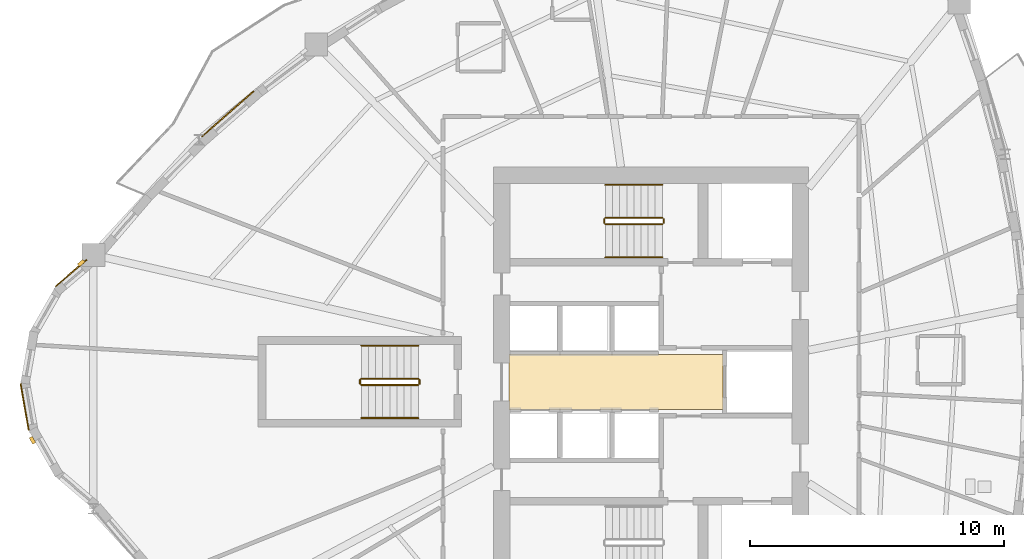
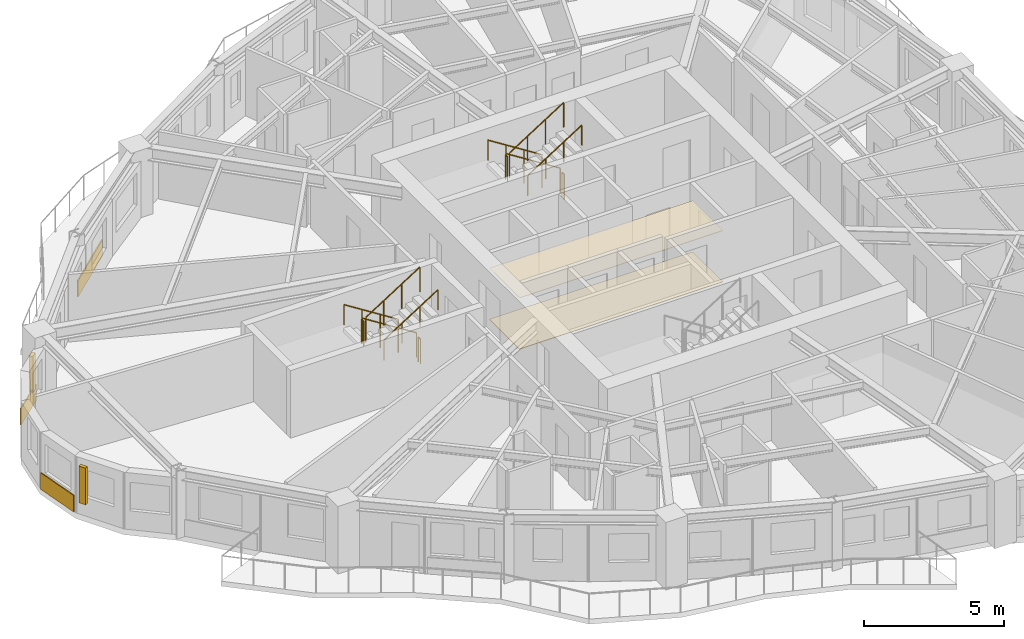
# One storey, part 11 of 13: 12 railings, 5 coverings, 2 shading devices.
"""IFC4 building model written with IfcOpenShell, lengths in metres."""

from ifc_helpers import new_model, si_unit, direction, frame, origin, origin_2d, place, context, subcontext, project, spatial, polyline, rectangle, circle, outline, extrude, source, transform, mapped, material, layer, layer_set, type_object, element, save


model = new_model("IFC4")

# Units and contexts
model_context = context("Model", 3, precision=1e-05, world=origin(), true_north=direction((0.0, 1.0)))
body_context = subcontext(model_context, "Body", "Model", "MODEL_VIEW")
ifc_project = project(units=[si_unit("LENGTHUNIT", "METRE"), si_unit("AREAUNIT", "SQUARE_METRE"), si_unit("VOLUMEUNIT", "CUBIC_METRE"), si_unit("PLANEANGLEUNIT", "RADIAN"), si_unit("MASSUNIT", "GRAM", prefix="KILO")], contexts=[model_context])

# Site, building, storey
site_placement = place(None, origin())
site = spatial("IfcSite", under=ifc_project, at=site_placement, CompositionType="ELEMENT")
building_placement = place(site_placement, origin())
building = spatial("IfcBuilding", under=site, at=building_placement, Name="Qafzar Sky-Pleat Residences", CompositionType="ELEMENT")
storey_placement = place(building_placement, frame((0.0, 0.0, 102.39990234375)))
storey = spatial("IfcBuildingStorey", under=building, at=storey_placement, Name="L30", CompositionType="ELEMENT", Elevation=102.39990234375)

# Coverings
ifc_material_1 = material(Name="Perforated acoustic gypsum board ceiling")
ifc_layer_1 = layer(ifc_material_1, 0.02001953125)
ifc_layer_set_1 = layer_set([ifc_layer_1], Name="Perforated acoustic gypsum board ceiling")
covering_type_1 = type_object("IfcCoveringType", Name="COV-CEIL-ACOUSTIC", PredefinedType="CEILING", material=ifc_layer_set_1)
covering_1_placement = place(storey_placement, frame((0.0, 0.0, 2.239990234375)))
element("IfcCovering", 1, at=covering_1_placement, inside=storey, type_object=covering_type_1, Name="L30 Passenger Lift Lobby Acoustic Ceiling", PredefinedType="CEILING", context=body_context, shape_type="SweptSolid", body=[
    extrude(outline(polyline([(33.179931640625, 24.919921875), (24.77001953125, 24.919921875), (24.77001953125, 27.080078125), (33.179931640625, 27.080078125), (33.179931640625, 24.919921875)])), origin(), (0.0, 0.0, 1.0), 0.02001953125),
])
ifc_material_2 = material(Name="Honed porcelain and Riyadh stone tile flooring", Category="masonry")
ifc_layer_2 = layer(ifc_material_2, 0.02001953125)
ifc_layer_set_2 = layer_set([ifc_layer_2], Name="Honed porcelain and Riyadh stone tile flooring")
covering_type_2 = type_object("IfcCoveringType", Name="COV-FLR-PORCELAIN", PredefinedType="FLOORING", material=ifc_layer_set_2)
covering_2_placement = place(storey_placement, origin())
element("IfcCovering", 2, at=covering_2_placement, inside=storey, type_object=covering_type_2, Name="L30 Passenger Lift Lobby Honed Stone Flooring", PredefinedType="FLOORING", context=body_context, shape_type="SweptSolid", body=[
    extrude(outline(polyline([(33.179931640625, 24.919921875), (24.77001953125, 24.919921875), (24.77001953125, 27.080078125), (33.179931640625, 27.080078125), (33.179931640625, 24.919921875)])), origin(), (0.0, 0.0, 1.0), 0.02001953125),
])

# Shading devices
ifc_material_3 = material(Name="Honed Riyadh limestone solar fin", Category="masonry")
ifc_layer_3 = layer(ifc_material_3, 0.139892578125)
ifc_layer_set_3 = layer_set([ifc_layer_3], Name="Honed Riyadh limestone solar fin")
shading_device_type = type_object("IfcShadingDeviceType", Name="SHD-FIN-STONE", PredefinedType="SHUTTER", material=ifc_layer_set_3)
shared_shape_1 = source(origin(), body_context, "Body", "SweptSolid", [
    extrude(rectangle(XDim=0.139892578125, YDim=0.280029296875, at=origin_2d()), origin(), (0.0, 0.0, 1.0), 1.60009765625),
])
for number, where, z_axis, x_axis, name in (
    (3, (7.941650390625, 30.67431640625, 0.60009765625), (0.0, 0.0, 1.0), (-0.648602943999, 0.761126941473, 0.0), "L30 Limestone Solar Fin 1"),
    (4, (6.02294921875, 23.702392578125, 0.60009765625), (0.0, 0.0, 1.0), (-0.868298604268, -0.49604186701, 0.0), "L30 Limestone Solar Fin 5"),
):
    element("IfcShadingDevice", number, at=place(storey_placement, frame(where, z_axis=z_axis, x_axis=x_axis)), inside=storey, type_object=shading_device_type, Name=name, PredefinedType="SHUTTER", context=body_context, shape_type="MappedRepresentation", body=[
        mapped(shared_shape_1, transform((0.0, 0.0, 0.0), x_axis=(1.0, 0.0, 0.0), y_axis=(0.0, 1.0, 0.0), z_axis=(0.0, 0.0, 1.0), scale=1.0)),
    ])

# Coverings
ifc_material_4 = material(Name="Honed Riyadh Tuwaiq limestone cladding", Category="masonry")
ifc_layer_4 = layer(ifc_material_4, 0.044921875)
ifc_layer_set_4 = layer_set([ifc_layer_4], Name="Honed Riyadh Tuwaiq limestone cladding")
covering_type_3 = type_object("IfcCoveringType", Name="COV-CLAD-STONE", PredefinedType="CLADDING", material=ifc_layer_set_4)
shared_shape_2 = source(origin(), body_context, "Body", "SweptSolid", [
    extrude(rectangle(XDim=1.62451171875, YDim=0.044921875, at=origin_2d()), origin(), (0.0, 0.0, 1.0), 0.719970703125),
])
covering_3_placement = place(storey_placement, frame((7.543212890625, 30.278564453125, 0.02001953125), z_axis=(0.0, 0.0, 1.0), x_axis=(-0.761154082005, -0.648571093595, 0.0)))
element("IfcCovering", 5, at=covering_3_placement, inside=storey, type_object=covering_type_3, Name="L30 Riyadh Limestone Spandrel Cladding 1", PredefinedType="CLADDING", context=body_context, shape_type="MappedRepresentation", body=[
    mapped(shared_shape_2, transform((0.0, 0.0, 0.0), x_axis=(1.0, 0.0, 0.0), y_axis=(0.0, 1.0, 0.0), z_axis=(0.0, 0.0, 1.0), scale=1.0)),
])
shared_shape_3 = source(origin(), body_context, "Body", "SweptSolid", [
    extrude(rectangle(XDim=1.865478515625, YDim=0.044921875, at=origin_2d()), origin(), (0.0, 0.0, 1.0), 0.719970703125),
])
covering_4_placement = place(storey_placement, frame((5.71533203125, 25.0126953125, 0.02001953125), z_axis=(0.0, 0.0, 1.0), x_axis=(0.172169696941, -0.985067305038, 0.0)))
element("IfcCovering", 6, at=covering_4_placement, inside=storey, type_object=covering_type_3, Name="L30 Riyadh Limestone Spandrel Cladding 4", PredefinedType="CLADDING", context=body_context, shape_type="MappedRepresentation", body=[
    mapped(shared_shape_3, transform((0.0, 0.0, 0.0), x_axis=(1.0, 0.0, 0.0), y_axis=(0.0, 1.0, 0.0), z_axis=(0.0, 0.0, 1.0), scale=1.0)),
])
shared_shape_4 = source(origin(), body_context, "Body", "SweptSolid", [
    extrude(rectangle(XDim=2.7080078125, YDim=0.044921875, at=origin_2d()), origin(), (0.0, 0.0, 1.0), 0.719970703125),
])
covering_5_placement = place(storey_placement, frame((13.705810546875, 36.542236328125, 0.02001953125), z_axis=(0.0, 0.0, 1.0), x_axis=(-0.75148242347, -0.659753110804, 0.0)))
element("IfcCovering", 7, at=covering_5_placement, inside=storey, type_object=covering_type_3, Name="L30 Riyadh Limestone Spandrel Cladding 46", PredefinedType="CLADDING", context=body_context, shape_type="MappedRepresentation", body=[
    mapped(shared_shape_4, transform((0.0, 0.0, 0.0), x_axis=(1.0, 0.0, 0.0), y_axis=(0.0, 1.0, 0.0), z_axis=(0.0, 0.0, 1.0), scale=1.0)),
])

# Railings
ifc_material_5 = material(Name="Painted Steel S355 stair guardrail", Category="steel")
railing_type_1 = type_object("IfcRailingType", Name="RAIL-STAIR-GUARD", PredefinedType="GUARDRAIL", material=ifc_material_5)
shared_shape_5 = source(origin(), body_context, "Body", "SweptSolid", [
    extrude(circle(Radius=0.02392578125, at=origin_2d()), frame((0.0, 0.0, 1.076171875), z_axis=(0.0, -1.0, 0.0), x_axis=(1.0, 0.0, 0.0)), (0.0, 0.0, 1.0), 0.14990234375),
    extrude(circle(Radius=0.02099609375, at=origin_2d()), origin(), (0.0, 0.0, 1.0), 1.052001953125),
    extrude(circle(Radius=0.02099609375, at=origin_2d()), frame((0.0, -0.14990234375, 0.0)), (0.0, 0.0, 1.0), 1.052001953125),
])
for number, where, name in (
    (8, (28.510009765625, 32.39990234375, 1.60009765625), "L30 ST2 stair guard 2"),
    (9, (30.85009765625, 32.39990234375, 0.0), "L30 ST2 stair guard 4"),
    (10, (18.909912109375, 26.074951171875, 1.60009765625), "L30 ST3 stair guard 2"),
    (11, (21.25, 26.074951171875, 0.0), "L30 ST3 stair guard 4"),
):
    element("IfcRailing", number, at=place(storey_placement, frame(where)), inside=storey, type_object=railing_type_1, Name=name, PredefinedType="GUARDRAIL", context=body_context, shape_type="MappedRepresentation", body=[
        mapped(shared_shape_5, transform((0.0, 0.0, 0.0), x_axis=(1.0, 0.0, 0.0), y_axis=(0.0, 1.0, 0.0), z_axis=(0.0, 0.0, 1.0), scale=1.0)),
    ])
shared_shape_6 = source(origin(), body_context, "Body", "SweptSolid", [
    extrude(circle(Radius=0.02392578125, at=origin_2d()), frame((0.0, 0.0, 1.076171875), z_axis=(-0.8442293374, 0.0, 0.53598211339), x_axis=(0.0, -1.0, 0.0)), (0.0, 0.0, 1.0), 2.6533203125),
    extrude(circle(Radius=0.02099609375, at=origin_2d()), origin(), (0.0, 0.0, 1.0), 1.052001953125),
    extrude(circle(Radius=0.02099609375, at=origin_2d()), frame((-0.74658203125, 0.0, 0.47412109375)), (0.0, 0.0, 1.0), 1.052001953125),
    extrude(circle(Radius=0.02099609375, at=origin_2d()), frame((-1.493408203125, 0.0, 0.947998046875)), (0.0, 0.0, 1.0), 1.052001953125),
    extrude(circle(Radius=0.02099609375, at=origin_2d()), frame((-2.239990234375, 0.0, 1.422119140625)), (0.0, 0.0, 1.0), 1.052001953125),
])
for number, where, name in (
    (12, (30.800048828125, 32.449951171875, 0.177978515625), "L30 ST2 stair guard 1"),
    (13, (21.199951171875, 26.125, 0.177978515625), "L30 ST3 stair guard 1"),
):
    element("IfcRailing", number, at=place(storey_placement, frame(where)), inside=storey, type_object=railing_type_1, Name=name, PredefinedType="GUARDRAIL", context=body_context, shape_type="MappedRepresentation", body=[
        mapped(shared_shape_6, transform((0.0, 0.0, 0.0), x_axis=(1.0, 0.0, 0.0), y_axis=(0.0, 1.0, 0.0), z_axis=(0.0, 0.0, 1.0), scale=1.0)),
    ])
ifc_material_6 = material(Name="Brushed stainless steel handrail", Category="steel")
railing_type_2 = type_object("IfcRailingType", Name="RAIL-STAIR-HAND", PredefinedType="HANDRAIL", material=ifc_material_6)
shared_shape_7 = source(origin(), body_context, "Body", "SweptSolid", [
    extrude(circle(Radius=0.02392578125, at=origin_2d()), frame((0.0, 0.0, 0.8759765625), z_axis=(-0.8442293374, 0.0, 0.53598211339), x_axis=(0.0, -1.0, 0.0)), (0.0, 0.0, 1.0), 2.6533203125),
    extrude(circle(Radius=0.02099609375, at=origin_2d()), origin(), (0.0, 0.0, 1.0), 0.851806640625),
    extrude(circle(Radius=0.02099609375, at=origin_2d()), frame((-0.74658203125, 0.0, 0.47412109375)), (0.0, 0.0, 1.0), 0.851806640625),
    extrude(circle(Radius=0.02099609375, at=origin_2d()), frame((-1.493408203125, 0.0, 0.947998046875)), (0.0, 0.0, 1.0), 0.851806640625),
    extrude(circle(Radius=0.02099609375, at=origin_2d()), frame((-2.239990234375, 0.0, 1.422119140625)), (0.0, 0.0, 1.0), 0.851806640625),
])
for number, where, name in (
    (14, (30.800048828125, 33.75, 0.177978515625), "L30 ST2 stair handrail 1"),
    (15, (21.199951171875, 27.425048828125, 0.177978515625), "L30 ST3 stair handrail 1"),
):
    element("IfcRailing", number, at=place(storey_placement, frame(where)), inside=storey, type_object=railing_type_2, Name=name, PredefinedType="HANDRAIL", context=body_context, shape_type="MappedRepresentation", body=[
        mapped(shared_shape_7, transform((0.0, 0.0, 0.0), x_axis=(1.0, 0.0, 0.0), y_axis=(0.0, 1.0, 0.0), z_axis=(0.0, 0.0, 1.0), scale=1.0)),
    ])
shared_shape_8 = source(origin(), body_context, "Body", "SweptSolid", [
    extrude(circle(Radius=0.02392578125, at=origin_2d()), frame((0.0, 0.0, 1.076171875), z_axis=(0.84418770128, 0.0, 0.536047689118), x_axis=(0.0, 1.0, 0.0)), (0.0, 0.0, 1.0), 2.6533203125),
    extrude(circle(Radius=0.02099609375, at=origin_2d()), origin(), (0.0, 0.0, 1.0), 1.052001953125),
    extrude(circle(Radius=0.02099609375, at=origin_2d()), frame((0.74658203125, 0.0, 0.47412109375)), (0.0, 0.0, 1.0), 1.052001953125),
    extrude(circle(Radius=0.02099609375, at=origin_2d()), frame((1.493408203125, 0.0, 0.9482421875)), (0.0, 0.0, 1.0), 1.052001953125),
    extrude(circle(Radius=0.02099609375, at=origin_2d()), frame((2.239990234375, 0.0, 1.42236328125)), (0.0, 0.0, 1.0), 1.052001953125),
])
for number, where, name in (
    (16, (28.56005859375, 32.199951171875, 1.77783203125), "L30 ST2 stair guard 3"),
    (17, (18.9599609375, 25.875, 1.77783203125), "L30 ST3 stair guard 3"),
):
    element("IfcRailing", number, at=place(storey_placement, frame(where)), inside=storey, type_object=railing_type_1, Name=name, PredefinedType="GUARDRAIL", context=body_context, shape_type="MappedRepresentation", body=[
        mapped(shared_shape_8, transform((0.0, 0.0, 0.0), x_axis=(1.0, 0.0, 0.0), y_axis=(0.0, 1.0, 0.0), z_axis=(0.0, 0.0, 1.0), scale=1.0)),
    ])
shared_shape_9 = source(origin(), body_context, "Body", "SweptSolid", [
    extrude(circle(Radius=0.02392578125, at=origin_2d()), frame((0.0, 0.0, 0.8759765625), z_axis=(0.84418770128, 0.0, 0.536047689118), x_axis=(0.0, 1.0, 0.0)), (0.0, 0.0, 1.0), 2.6533203125),
    extrude(circle(Radius=0.02099609375, at=origin_2d()), origin(), (0.0, 0.0, 1.0), 0.851806640625),
    extrude(circle(Radius=0.02099609375, at=origin_2d()), frame((0.74658203125, 0.0, 0.47412109375)), (0.0, 0.0, 1.0), 0.851806640625),
    extrude(circle(Radius=0.02099609375, at=origin_2d()), frame((1.493408203125, 0.0, 0.9482421875)), (0.0, 0.0, 1.0), 0.851806640625),
    extrude(circle(Radius=0.02099609375, at=origin_2d()), frame((2.239990234375, 0.0, 1.42236328125)), (0.0, 0.0, 1.0), 0.851806640625),
])
for number, where, name in (
    (18, (28.56005859375, 30.89990234375, 1.77783203125), "L30 ST2 stair handrail 2"),
    (19, (18.9599609375, 24.574951171875, 1.77783203125), "L30 ST3 stair handrail 2"),
):
    element("IfcRailing", number, at=place(storey_placement, frame(where)), inside=storey, type_object=railing_type_2, Name=name, PredefinedType="HANDRAIL", context=body_context, shape_type="MappedRepresentation", body=[
        mapped(shared_shape_9, transform((0.0, 0.0, 0.0), x_axis=(1.0, 0.0, 0.0), y_axis=(0.0, 1.0, 0.0), z_axis=(0.0, 0.0, 1.0), scale=1.0)),
    ])

save(model, "model.ifc")
